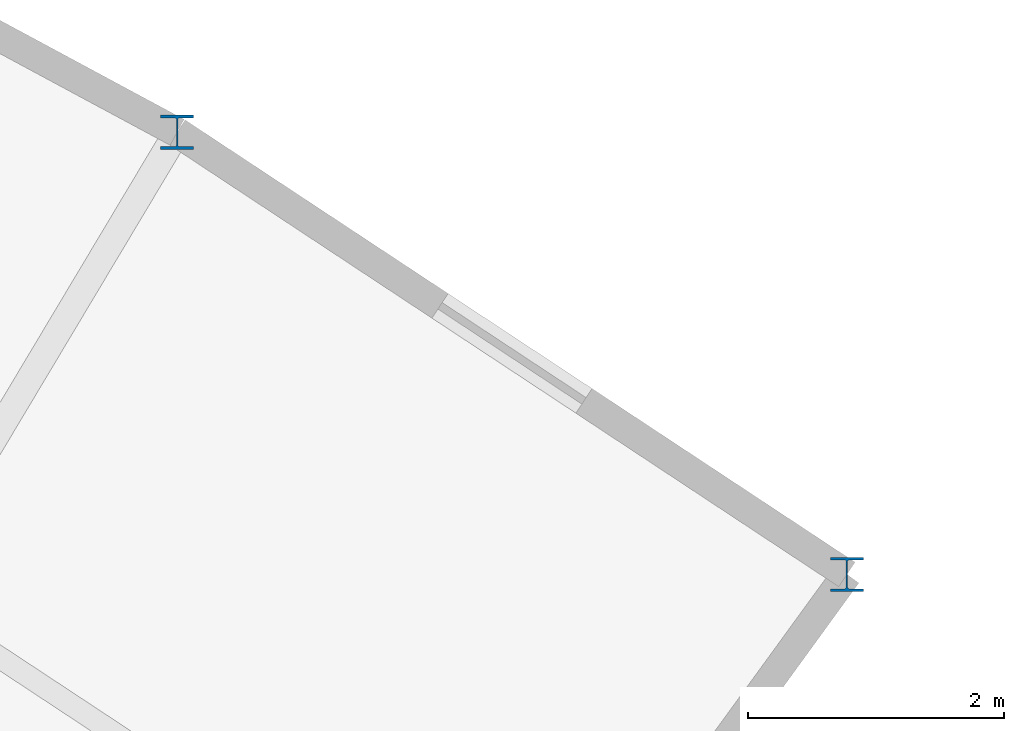
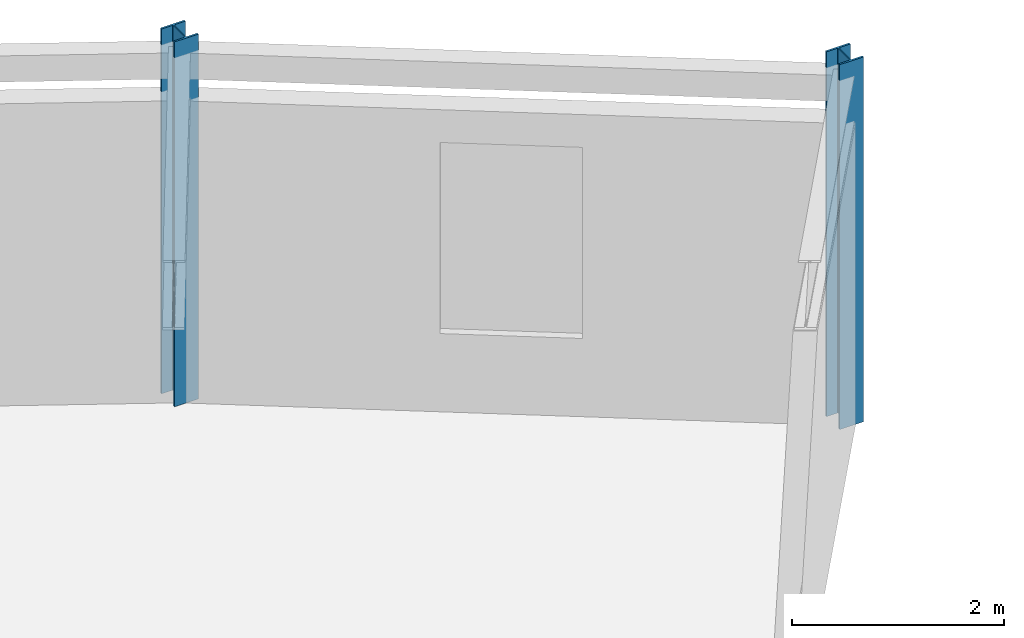
# One storey, part 11 of 54: 2 columns.
"""IFC4 building model written with IfcOpenShell, lengths in metres."""

from ifc_helpers import new_model, si_unit, direction, frame, origin, origin_2d, place, context, subcontext, project, spatial, i_section, extrude, material, material_profile, profile_set, type_object, element, save


model = new_model("IFC4")

# Units and contexts
model_context = context("Model", 3, precision=1e-05, world=origin(), true_north=direction((0.0, 1.0)))
body_context = subcontext(model_context, "Body", "Model", "MODEL_VIEW")
ifc_project = project(units=[si_unit("LENGTHUNIT", "METRE"), si_unit("AREAUNIT", "SQUARE_METRE"), si_unit("VOLUMEUNIT", "CUBIC_METRE"), si_unit("PLANEANGLEUNIT", "RADIAN"), si_unit("MASSUNIT", "GRAM", prefix="KILO")], contexts=[model_context])

# Site, building, storey
site_placement = place(None, origin())
site = spatial("IfcSite", under=ifc_project, at=site_placement, CompositionType="ELEMENT")
building_placement = place(site_placement, origin())
building = spatial("IfcBuilding", under=site, at=building_placement, Name="Selat Folded Stagehouse", CompositionType="ELEMENT")
storey_placement = place(building_placement, frame((0.0, 0.0, 15.0)))
storey = spatial("IfcBuildingStorey", under=building, at=storey_placement, Name="L03", CompositionType="ELEMENT", Elevation=15.0)

# Columns
ifc_material = material(Name="Steel S355", Category="steel")
ifc_material_profile = material_profile(ifc_material, i_section(OverallWidth=0.2587890625, OverallDepth=0.2666015625, WebThickness=0.0126953125, FlangeThickness=0.0205078125, FilletRadius=0.0126953125, at=origin_2d()), Name="UKC 254x254x107")
ifc_profile_set = profile_set([ifc_material_profile], Name="Steel S355")
column_type = type_object("IfcColumnType", Name="COL-UKC-254x254x107", PredefinedType="COLUMN", material=ifc_profile_set)
for number, where, z_axis, x_axis, name in (
    (1, (128.302978515625, 98.09130859375, 0.0), (0.0, 0.0, 1.0), (1.0, 0.0, 0.0), "L03 column STK-V6OUT-13"),
    (2, (133.544921875, 94.631103515625, 0.0), (0.0, 0.0, 1.0), (1.0, 0.0, 0.0), "L03 column STK-V6OUT-14"),
):
    element("IfcColumn", number, at=place(storey_placement, frame(where, z_axis=z_axis, x_axis=x_axis)), inside=storey, type_object=column_type, Name=name, PredefinedType="COLUMN", context=body_context, shape_type="SweptSolid", body=[
        extrude(i_section(OverallWidth=0.2587890625, OverallDepth=0.2666015625, WebThickness=0.0126953125, FlangeThickness=0.0205078125, FilletRadius=0.0126953125, at=origin_2d()), origin(), (0.0, 0.0, 1.0), 4.199951171875),
    ])

save(model, "model.ifc")
